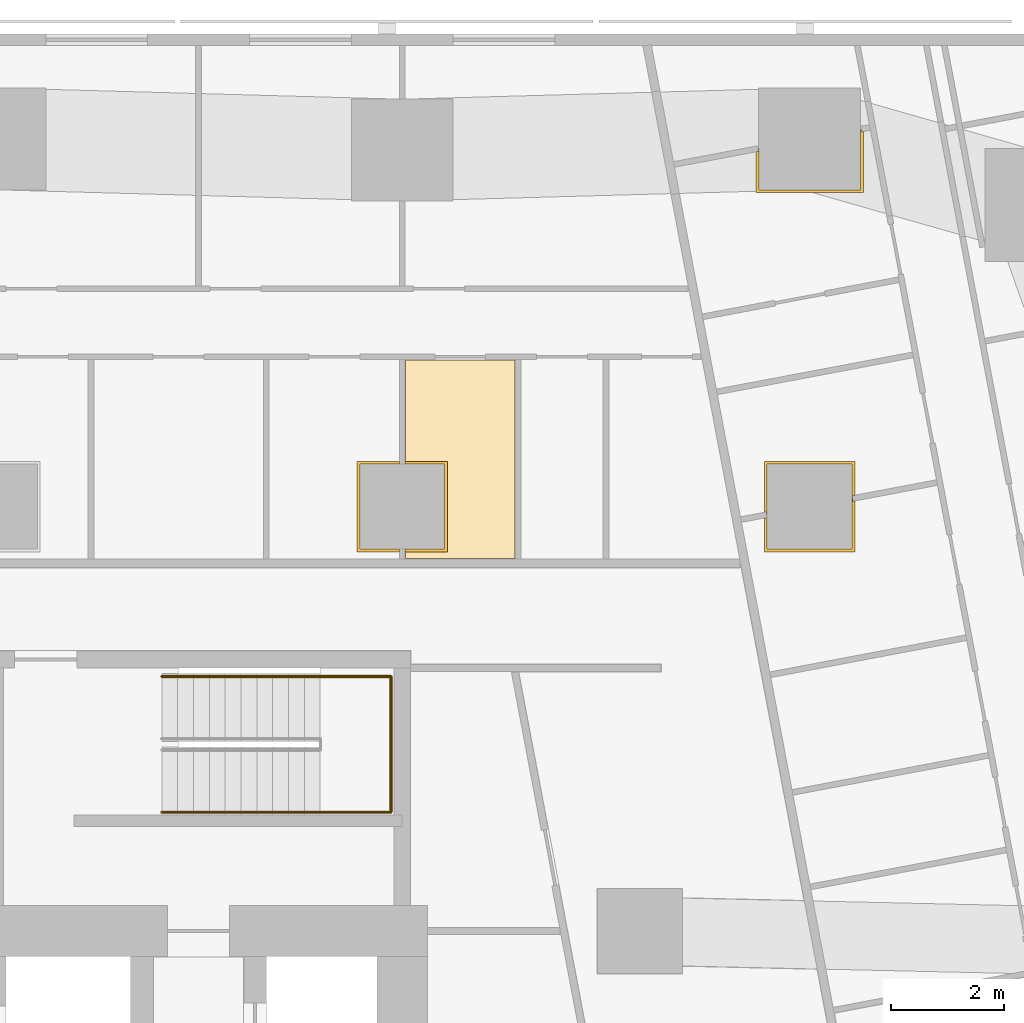
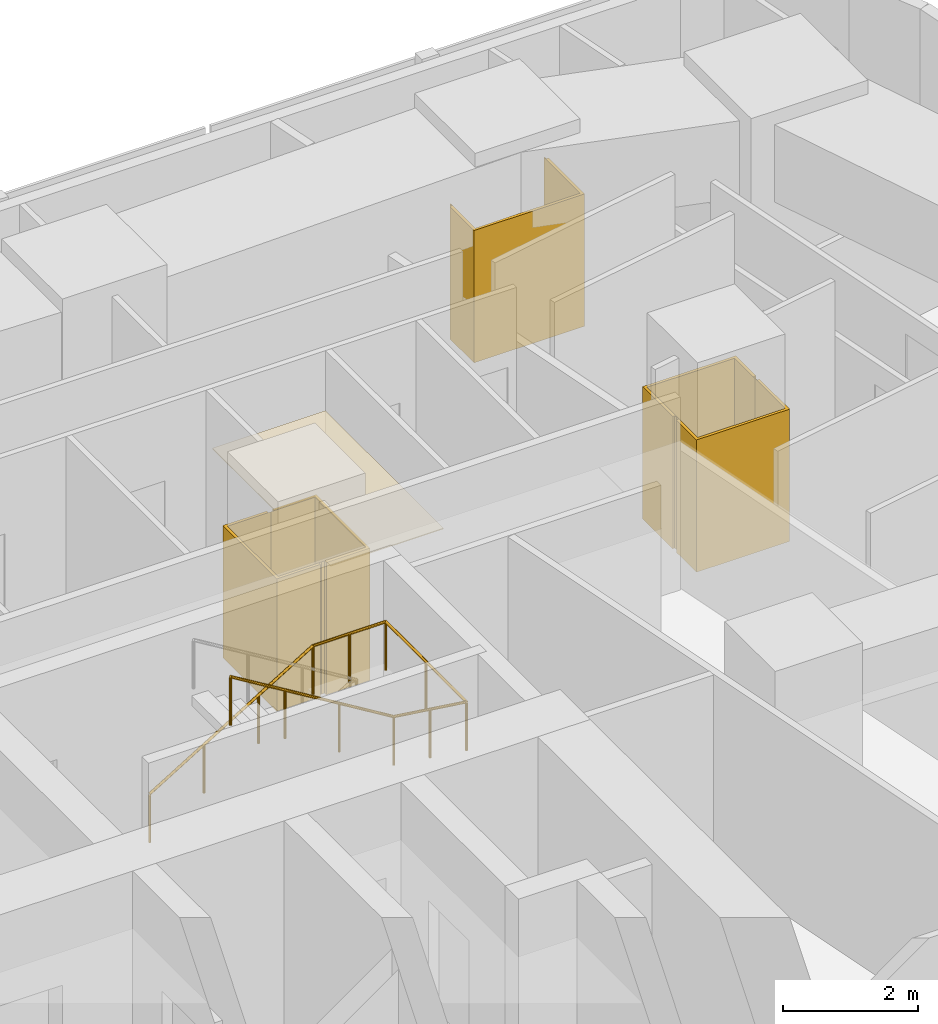
# One storey, part 15 of 15: 6 coverings, 1 railing.
"""IFC4 building model written with IfcOpenShell, lengths in metres."""

import ifcopenshell
import ifcopenshell.guid

model = None  # the IFC model being written
_history = None  # IfcOwnerHistory: only IFC2X3 demands one
_inside = {}  # id of a spatial element -> (the spatial element, [elements in it])
_under = {}  # id of a project, library or spatial element -> (it, [spatial elements below it])
_declared = {}  # id of a project -> (the project, [libraries it declares])
_typed = {}  # id of a type object -> (the type object, [elements of that type])
_made_of = {}  # id of a material, layer set ... -> (it, [elements and type objects made of it])


def new_model(schema):
    """Start an empty IFC model of exactly this schema.

    Asked for "IFC4X3", IfcOpenShell would pick the latest addendum, in which some entities
    have other attributes; the version numbers below select the first issue.
    IFC2X3 requires an IfcOwnerHistory on every rooted entity: one is made here for all.
    """
    global model, _history
    if schema == "IFC4X3":
        model = ifcopenshell.file(schema_version=(4, 3, 0, 0))
    else:
        model = ifcopenshell.file(schema=schema)
    _inside.clear()
    _under.clear()
    _declared.clear()
    _typed.clear()
    _made_of.clear()
    _history = None
    if model.schema == "IFC2X3":
        org = make("IfcOrganization", Name="unknown")
        user = make(
            "IfcPersonAndOrganization",
            ThePerson=make("IfcPerson", FamilyName="unknown"),
            TheOrganization=org,
        )
        app = make(
            "IfcApplication",
            ApplicationDeveloper=org,
            Version="unknown",
            ApplicationFullName="unknown",
            ApplicationIdentifier="unknown",
        )
        _history = make(
            "IfcOwnerHistory",
            OwningUser=user,
            OwningApplication=app,
            ChangeAction="ADDED",
            CreationDate=0,
        )
    return model


def make(cls, **values):
    """One entity of the class cls with the attributes given. An attribute that is None is left unset."""
    return model.create_entity(
        cls, **{name: value for name, value in values.items() if value is not None}
    )


def rooted(cls, **values):
    """An entity with a GlobalId (a new one), such as an element, a storey or a relation."""
    return make(cls, GlobalId=ifcopenshell.guid.new(), OwnerHistory=_history, **values)


def si_unit(unit_type, name, prefix=None):
    """IfcSIUnit, for example si_unit("LENGTHUNIT", "METRE", prefix="MILLI")."""
    return make("IfcSIUnit", UnitType=unit_type, Prefix=prefix, Name=name)


def assignment(units):
    """IfcUnitAssignment: the units of a project."""
    return None if units is None else make("IfcUnitAssignment", Units=units)


def point(xyz):
    """IfcCartesianPoint."""
    return None if xyz is None else make("IfcCartesianPoint", Coordinates=xyz)


def direction(xyz):
    """IfcDirection."""
    return None if xyz is None else make("IfcDirection", DirectionRatios=xyz)


def frame(location, z_axis=None, x_axis=None):
    """IfcAxis2Placement3D, a coordinate frame: its origin and axes. An axis left out is left unset."""
    return make(
        "IfcAxis2Placement3D",
        Location=point(location),
        Axis=direction(z_axis),
        RefDirection=direction(x_axis),
    )


def frame_2d(location, x_axis=None):
    """IfcAxis2Placement2D, a coordinate frame in the plane: its origin and x axis."""
    return make(
        "IfcAxis2Placement2D", Location=point(location), RefDirection=direction(x_axis)
    )


def origin():
    """The frame at (0, 0, 0) with its axes left unset."""
    return frame((0.0, 0.0, 0.0))


def origin_2d():
    """The frame at (0, 0) in the plane with its x axis left unset."""
    return frame_2d((0.0, 0.0))


def place(relative_to, where):
    """IfcLocalPlacement: puts the frame where relative to a parent placement (None: the world)."""
    return make(
        "IfcLocalPlacement", PlacementRelTo=relative_to, RelativePlacement=where
    )


def context(
    kind, dimensions, precision=None, world=None, true_north=None, identifier=None
):
    """IfcGeometricRepresentationContext, for example the 3D "Model" context."""
    return make(
        "IfcGeometricRepresentationContext",
        ContextIdentifier=identifier,
        ContextType=kind,
        CoordinateSpaceDimension=dimensions,
        Precision=precision,
        WorldCoordinateSystem=world,
        TrueNorth=true_north,
    )


def subcontext(parent, identifier, kind, view, scale=None):
    """IfcGeometricRepresentationSubContext, for example "Body" below "Model"."""
    return make(
        "IfcGeometricRepresentationSubContext",
        ContextIdentifier=identifier,
        ContextType=kind,
        ParentContext=parent,
        TargetScale=scale,
        TargetView=view,
    )


def project(units=None, contexts=None):
    """IfcProject with its units and contexts."""
    return rooted(
        "IfcProject",
        Name="project",
        RepresentationContexts=contexts,
        UnitsInContext=assignment(units),
    )


def spatial(cls, under=None, at=None, **own):
    """A site, building, storey or space (cls), placed at a placement, below another one or the project."""
    s = rooted(cls, ObjectPlacement=at, **own)
    if under is not None:
        _under.setdefault(under.id(), (under, []))[1].append(s)
    return s


def polyline(points):
    """IfcPolyline through the points."""
    return make("IfcPolyline", Points=[point(p) for p in points])


def profile(cls, at=None, kind="AREA", **sizes):
    """A parametric profile (cls). Its sizes go by their IFC names, for example OverallWidth=200.0."""
    return make(cls, ProfileType=kind, Position=at, **sizes)


def circle(**sizes):
    """IfcCircleProfileDef."""
    return profile("IfcCircleProfileDef", **sizes)


def outline(outer, holes=None, kind="AREA"):
    """IfcArbitraryClosedProfileDef: a profile drawn as a closed curve; with holes, ...WithVoids."""
    if holes is None:
        return make("IfcArbitraryClosedProfileDef", ProfileType=kind, OuterCurve=outer)
    return make(
        "IfcArbitraryProfileDefWithVoids",
        ProfileType=kind,
        OuterCurve=outer,
        InnerCurves=holes,
    )


def extrude(swept, where, along, depth):
    """IfcExtrudedAreaSolid: the profile swept, set in the frame where, extruded along a direction by depth."""
    return make(
        "IfcExtrudedAreaSolid",
        SweptArea=swept,
        Position=where,
        ExtrudedDirection=direction(along),
        Depth=depth,
    )


def shape(context_of_items, identifier, shape_type, items):
    """IfcShapeRepresentation: the items that make up one representation, for example the "Body"."""
    return make(
        "IfcShapeRepresentation",
        ContextOfItems=context_of_items,
        RepresentationIdentifier=identifier,
        RepresentationType=shape_type,
        Items=items,
    )


def material(Name=None, Category=None):
    """IfcMaterial."""
    return make("IfcMaterial", Name=Name, Category=Category)


def layer(
    of_material, thickness, ventilated=None, Name=None, Category=None, Priority=None
):
    """IfcMaterialLayer: one layer of a wall or slab, of a material (None: an air gap)."""
    return make(
        "IfcMaterialLayer",
        Material=of_material,
        LayerThickness=thickness,
        IsVentilated=ventilated,
        Name=Name,
        Category=Category,
        Priority=Priority,
    )


def layer_set(layers, Name=None):
    """IfcMaterialLayerSet."""
    return make("IfcMaterialLayerSet", MaterialLayers=layers, LayerSetName=Name)


def made_of(thing, what):
    """Note that an element or type object is made of a material, layer set ...; save() writes the relation."""
    if what is not None:
        _made_of.setdefault(what.id(), (what, []))[1].append(thing)
    return thing


def type_object(cls, material=None, **own):
    """A type object (cls), such as IfcWallType, which elements share."""
    return made_of(rooted(cls, **own), material)


def element(
    cls,
    number,
    at=None,
    inside=None,
    cuts=None,
    type_object=None,
    material=None,
    context=None,
    identifier="Body",
    shape_type=None,
    held_by="IfcProductDefinitionShape",
    body=None,
    shapes=None,
    **own,
):
    """One element of the class cls, such as IfcWall. Its Tag is "e" and its number.

    at: its placement. inside: the storey or other place that contains it. cuts: it is an
    opening in that element (IfcRelVoidsElement). A single representation is given by context,
    identifier, shape_type and body (its items); several are given by shapes. held_by: the class
    of the entity that holds the representations. save() writes the other relations.
    """
    e = rooted(cls, Tag="e%d" % number, ObjectPlacement=at, **own)
    if body is not None:
        shapes = [shape(context, identifier, shape_type, body)]
    if shapes is not None:
        e.Representation = make(held_by, Representations=shapes)
    if inside is not None:
        _inside.setdefault(inside.id(), (inside, []))[1].append(e)
    if cuts is not None:
        rooted(
            "IfcRelVoidsElement", RelatingBuildingElement=cuts, RelatedOpeningElement=e
        )
    if type_object is not None:
        _typed.setdefault(type_object.id(), (type_object, []))[1].append(e)
    return made_of(e, material)


def aggregate(whole, parts):
    """IfcRelAggregates: a whole, such as a stair, and the parts it consists of."""
    return rooted("IfcRelAggregates", RelatingObject=whole, RelatedObjects=parts)


def save(model, path):
    """Write the relations noted so far, then the file.

    IfcRelAggregates (storeys below a building ...), IfcRelContainedInSpatialStructure (elements
    in a storey), IfcRelDefinesByType, IfcRelAssociatesMaterial and IfcRelDeclares: one each for
    every whole, place, type object, material and project.
    """
    for whole, parts in _under.values():
        aggregate(whole, parts)
    for where, things in _inside.values():
        rooted(
            "IfcRelContainedInSpatialStructure",
            RelatedElements=things,
            RelatingStructure=where,
        )
    for kind, things in _typed.values():
        rooted("IfcRelDefinesByType", RelatedObjects=things, RelatingType=kind)
    for what, things in _made_of.values():
        rooted("IfcRelAssociatesMaterial", RelatedObjects=things, RelatingMaterial=what)
    for by, libraries in _declared.values():
        rooted("IfcRelDeclares", RelatingContext=by, RelatedDefinitions=libraries)
    model.write(path)


model = new_model("IFC4")

# Units and contexts
model_context = context("Model", 3, precision=1e-05, world=origin(), true_north=direction((0.0, 1.0)))
body_context = subcontext(model_context, "Body", "Model", "MODEL_VIEW")
ifc_project = project(units=[si_unit("LENGTHUNIT", "METRE"), si_unit("AREAUNIT", "SQUARE_METRE"), si_unit("VOLUMEUNIT", "CUBIC_METRE"), si_unit("PLANEANGLEUNIT", "RADIAN"), si_unit("MASSUNIT", "GRAM", prefix="KILO")], contexts=[model_context])

# Site, building, storey
site_placement = place(None, origin())
site = spatial("IfcSite", under=ifc_project, at=site_placement, CompositionType="ELEMENT")
building_placement = place(site_placement, origin())
building = spatial("IfcBuilding", under=site, at=building_placement, Name="Sheger Commons Tower", CompositionType="ELEMENT")
storey_placement = place(building_placement, frame((0.0, 0.0, 165.800048828125)))
storey = spatial("IfcBuildingStorey", under=building, at=storey_placement, Name="L42", CompositionType="ELEMENT", Elevation=165.800048828125)

# Railing
ifc_material_1 = material(Name="Steel handrail, black powder-coated", Category="steel")
railing_type = type_object("IfcRailingType", Name="HANDRAIL 900", PredefinedType="HANDRAIL", material=ifc_material_1)
railing_placement = place(storey_placement, frame((24.550048828125, 34.5, 0.17041015625)))
element("IfcRailing", 1, at=railing_placement, inside=storey, type_object=railing_type, Name="Stair S2 handrail L42", PredefinedType="HANDRAIL", context=body_context, shape_type="SweptSolid", body=[
    extrude(circle(Radius=0.02392578125, at=origin_2d()), frame((0.0, 0.0, 0.8759765625), z_axis=(0.854169791009, 0.0, 0.51999420009), x_axis=(0.0, 1.0, 0.0)), (0.0, 0.0, 1.0), 3.278076171875),
    extrude(circle(Radius=0.02392578125, at=origin_2d()), frame((2.800048828125, 0.0, 2.58056640625), z_axis=(1.0, 0.0, 0.0), x_axis=(0.0, 1.0, 0.0)), (0.0, 0.0, 1.0), 1.25),
    extrude(circle(Radius=0.02392578125, at=origin_2d()), frame((4.050048828125, 0.0, 2.58056640625), z_axis=(0.0, -1.0, 0.0), x_axis=(1.0, 0.0, 0.0)), (0.0, 0.0, 1.0), 2.39990234375),
    extrude(circle(Radius=0.02392578125, at=origin_2d()), frame((4.050048828125, -2.39990234375, 2.58056640625), z_axis=(-0.990834877927, 0.0, 0.135078661092), x_axis=(0.0, -1.0, 0.0)), (0.0, 0.0, 1.0), 1.261474609375),
    extrude(circle(Radius=0.02392578125, at=origin_2d()), frame((2.800048828125, -2.39990234375, 2.7509765625), z_axis=(-0.854169791009, 0.0, 0.51999420009), x_axis=(0.0, -1.0, 0.0)), (0.0, 0.0, 1.0), 3.278076171875),
    extrude(circle(Radius=0.02099609375, at=origin_2d()), origin(), (0.0, 0.0, 1.0), 0.851806640625),
    extrude(circle(Radius=0.02099609375, at=origin_2d()), frame((0.933349609375, 0.0, 0.568115234375)), (0.0, 0.0, 1.0), 0.851806640625),
    extrude(circle(Radius=0.02099609375, at=origin_2d()), frame((1.86669921875, 0.0, 1.136474609375)), (0.0, 0.0, 1.0), 0.851806640625),
    extrude(circle(Radius=0.02099609375, at=origin_2d()), frame((2.800048828125, 0.0, 1.70458984375)), (0.0, 0.0, 1.0), 0.851806640625),
    extrude(circle(Radius=0.02099609375, at=origin_2d()), frame((3.425048828125, 0.0, 1.70458984375)), (0.0, 0.0, 1.0), 0.851806640625),
    extrude(circle(Radius=0.02099609375, at=origin_2d()), frame((4.050048828125, 0.0, 1.70458984375)), (0.0, 0.0, 1.0), 0.851806640625),
    extrude(circle(Radius=0.02099609375, at=origin_2d()), frame((4.050048828125, -1.199951171875, 1.70458984375)), (0.0, 0.0, 1.0), 0.851806640625),
    extrude(circle(Radius=0.02099609375, at=origin_2d()), frame((4.050048828125, -2.39990234375, 1.70458984375)), (0.0, 0.0, 1.0), 0.851806640625),
    extrude(circle(Radius=0.02099609375, at=origin_2d()), frame((3.425048828125, -2.39990234375, 1.789794921875)), (0.0, 0.0, 1.0), 0.851806640625),
    extrude(circle(Radius=0.02099609375, at=origin_2d()), frame((2.800048828125, -2.39990234375, 1.875)), (0.0, 0.0, 1.0), 0.851806640625),
    extrude(circle(Radius=0.02099609375, at=origin_2d()), frame((1.86669921875, -2.39990234375, 2.443115234375)), (0.0, 0.0, 1.0), 0.851806640625),
    extrude(circle(Radius=0.02099609375, at=origin_2d()), frame((0.933349609375, -2.39990234375, 3.011474609375)), (0.0, 0.0, 1.0), 0.851806640625),
    extrude(circle(Radius=0.02099609375, at=origin_2d()), frame((0.0, -2.39990234375, 3.57958984375)), (0.0, 0.0, 1.0), 0.851806640625),
])

# Coverings
ifc_material_2 = material(Name="Moisture-resistant gypsum plasterboard 15 mm on a suspended galvanised steel grid", Category="steel")
ifc_layer_1 = layer(ifc_material_2, 0.014892578125)
ifc_layer_set_1 = layer_set([ifc_layer_1], Name="MOISTURE-RESISTANT CEILING 15")
covering_type_1 = type_object("IfcCoveringType", Name="MOISTURE-RESISTANT CEILING 15", PredefinedType="CEILING", material=ifc_layer_set_1)
covering_1_placement = place(storey_placement, frame((0.0, 0.0, 2.39990234375)))
element("IfcCovering", 2, at=covering_1_placement, inside=storey, type_object=covering_type_1, Name="L42-11.B3 ceiling", PredefinedType="CEILING", context=body_context, shape_type="SweptSolid", body=[
    extrude(outline(polyline([(28.85498046875, 36.580078125), (30.794921875, 36.580078125), (30.794921875, 40.094970703125), (28.85498046875, 40.094970703125), (28.85498046875, 38.2548828125), (29.554931640625, 38.2548828125), (29.554931640625, 36.7451171875), (28.85498046875, 36.7451171875), (28.85498046875, 36.580078125)])), origin(), (0.0, 0.0, 1.0), 0.01513671875),
])
ifc_material_3 = material(Name="Moisture-resistant gypsum board 12.5 mm on 25 mm treated timber battens, tanked and tiled", Category="wood")
ifc_layer_2 = layer(ifc_material_3, 0.050048828125)
ifc_layer_set_2 = layer_set([ifc_layer_2], Name="WET-ROOM COLUMN LINING")
covering_type_2 = type_object("IfcCoveringType", Name="WET-ROOM COLUMN LINING", PredefinedType="CLADDING", material=ifc_layer_set_2)
covering_2_placement = place(storey_placement, origin())
element("IfcCovering", 3, at=covering_2_placement, inside=storey, type_object=covering_type_2, Name="Laundry room column lining C10 L42", PredefinedType="CLADDING", context=body_context, shape_type="SweptSolid", body=[
    extrude(outline(polyline([(28.75, 38.300048828125), (28.75, 38.2509765625), (28.800048828125, 38.2509765625), (28.800048828125, 38.25), (28.050048828125, 38.25), (28.050048828125, 36.75), (28.800048828125, 36.75), (28.800048828125, 36.7490234375), (28.75, 36.7490234375), (28.75, 36.699951171875), (28.0, 36.699951171875), (28.0, 38.300048828125), (28.75, 38.300048828125)])), origin(), (0.0, 0.0, 1.0), 2.39990234375),
])
covering_3_placement = place(storey_placement, origin())
element("IfcCovering", 4, at=covering_3_placement, inside=storey, type_object=covering_type_2, Name="Bathroom column lining C10 L42", PredefinedType="CLADDING", context=body_context, shape_type="SweptSolid", body=[
    extrude(outline(polyline([(29.60009765625, 36.699951171875), (28.85009765625, 36.699951171875), (28.85009765625, 36.7490234375), (28.800048828125, 36.7490234375), (28.800048828125, 36.75), (29.550048828125, 36.75), (29.550048828125, 38.25), (28.800048828125, 38.25), (28.800048828125, 38.2509765625), (28.85009765625, 38.2509765625), (28.85009765625, 38.300048828125), (29.60009765625, 38.300048828125), (29.60009765625, 36.699951171875)])), origin(), (0.0, 0.0, 1.0), 2.39990234375),
])
covering_4_placement = place(storey_placement, origin())
element("IfcCovering", 5, at=covering_4_placement, inside=storey, type_object=covering_type_2, Name="Store and laundry column lining C10 L42", PredefinedType="CLADDING", context=body_context, shape_type="SweptSolid", body=[
    extrude(outline(polyline([(35.25, 37.35888671875), (35.25, 36.75), (36.75, 36.75), (36.75, 37.64208984375), (36.760009765625, 37.64404296875), (36.76904296875, 37.594970703125), (36.800048828125, 37.60107421875), (36.800048828125, 36.699951171875), (35.199951171875, 36.699951171875), (35.199951171875, 37.299072265625), (35.2490234375, 37.30810546875), (35.239990234375, 37.35693359375), (35.25, 37.35888671875)])), origin(), (0.0, 0.0, 1.0), 2.39990234375),
])
covering_5_placement = place(storey_placement, origin())
element("IfcCovering", 6, at=covering_5_placement, inside=storey, type_object=covering_type_2, Name="Store and laundry column lining C10 L42", PredefinedType="CLADDING", context=body_context, shape_type="SweptSolid", body=[
    extrude(outline(polyline([(36.800048828125, 38.300048828125), (36.800048828125, 37.701904296875), (36.7509765625, 37.693115234375), (36.760009765625, 37.64404296875), (36.75, 37.64208984375), (36.75, 38.25), (35.25, 38.25), (35.25, 37.35888671875), (35.239990234375, 37.35693359375), (35.23095703125, 37.406005859375), (35.199951171875, 37.39990234375), (35.199951171875, 38.300048828125), (36.800048828125, 38.300048828125)])), origin(), (0.0, 0.0, 1.0), 2.39990234375),
])
covering_6_placement = place(storey_placement, origin())
element("IfcCovering", 7, at=covering_6_placement, inside=storey, type_object=covering_type_2, Name="Store and laundry column lining C8 L42", PredefinedType="CLADDING", context=body_context, shape_type="SweptSolid", body=[
    extrude(outline(polyline([(35.10009765625, 43.830078125), (35.10009765625, 43.10009765625), (36.89990234375, 43.10009765625), (36.89990234375, 44.1708984375), (36.909912109375, 44.173095703125), (36.9189453125, 44.123046875), (36.949951171875, 44.12890625), (36.949951171875, 43.050048828125), (35.050048828125, 43.050048828125), (35.050048828125, 43.77001953125), (35.09912109375, 43.779052734375), (35.090087890625, 43.827880859375), (35.10009765625, 43.830078125)])), origin(), (0.0, 0.0, 1.0), 2.39990234375),
])

save(model, "model.ifc")
